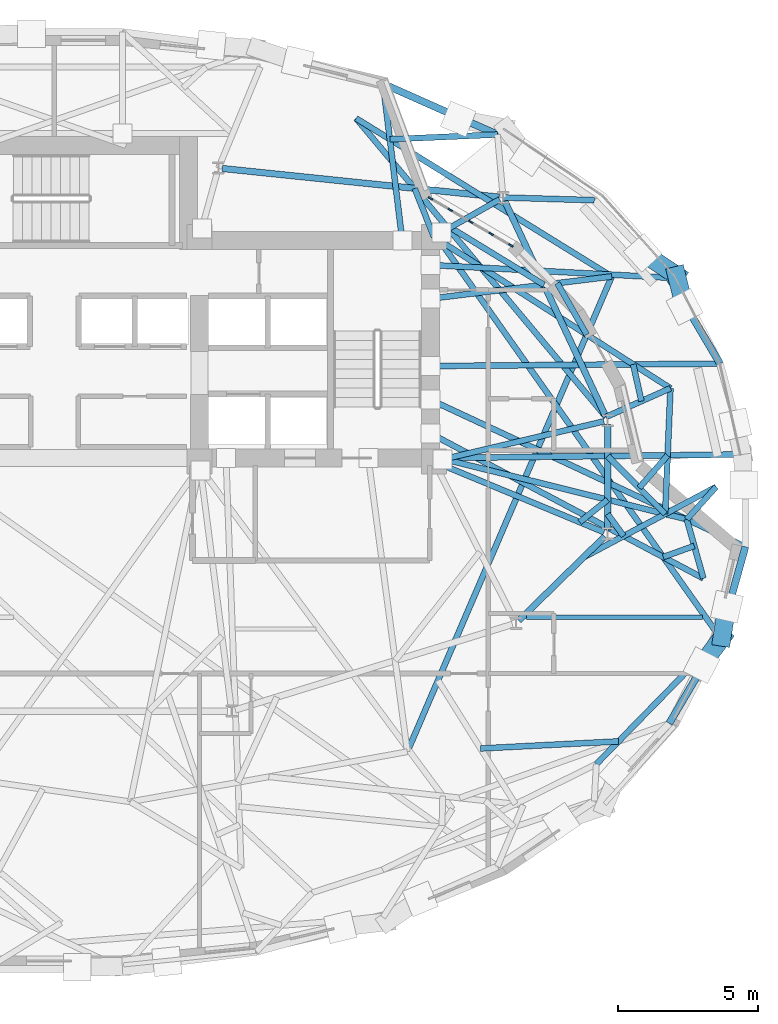
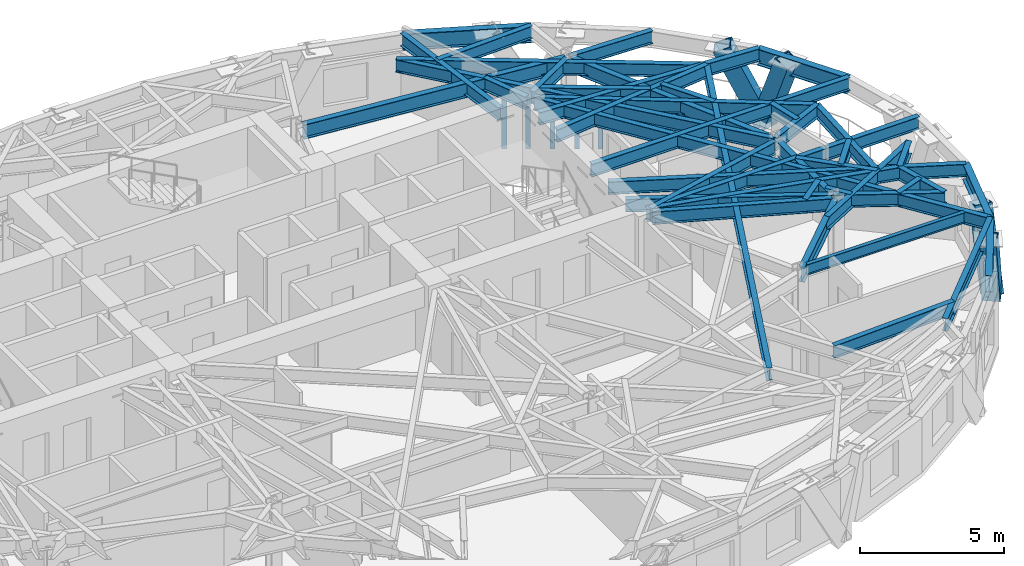
# One storey, part 4 of 15: 43 beams, 9 members, 1 element without a shape of its own.
"""IFC4 building model written with IfcOpenShell, lengths in metres."""

from ifc_helpers import new_model, si_unit, direction, frame, origin, origin_2d, place, context, subcontext, project, spatial, rectangle, hollow_rectangle, i_section, extrude, material, layer, layer_set, material_profile, profile_set, type_object, element, aggregate, save


model = new_model("IFC4")

# Units and contexts
model_context = context("Model", 3, precision=1e-05, world=origin(), true_north=direction((0.0, 1.0)))
body_context = subcontext(model_context, "Body", "Model", "MODEL_VIEW")
ifc_project = project(units=[si_unit("LENGTHUNIT", "METRE"), si_unit("AREAUNIT", "SQUARE_METRE"), si_unit("VOLUMEUNIT", "CUBIC_METRE"), si_unit("PLANEANGLEUNIT", "RADIAN"), si_unit("MASSUNIT", "GRAM", prefix="KILO")], contexts=[model_context])

# Site, building, storey
site_placement = place(None, origin())
site = spatial("IfcSite", under=ifc_project, at=site_placement, CompositionType="ELEMENT")
building_placement = place(site_placement, origin())
building = spatial("IfcBuilding", under=site, at=building_placement, Name="Keldmark Tower", CompositionType="ELEMENT")
storey_placement = place(building_placement, frame((0.0, 0.0, 156.60009765625)))
storey = spatial("IfcBuildingStorey", under=building, at=storey_placement, Name="L42", CompositionType="ELEMENT", Elevation=156.60009765625)

# Beam
ifc_material_1 = material(Name="Steel ASTM A992 Grade 50", Category="steel")
ifc_material_profile_1 = material_profile(ifc_material_1, i_section(OverallWidth=0.153076171875, OverallDepth=0.455078125, WebThickness=0.008056640625, FlangeThickness=0.01318359375, at=origin_2d()), Name="W18X40")
ifc_profile_set_1 = profile_set([ifc_material_profile_1], Name="Steel ASTM A992 Grade 50")
beam_type_1 = type_object("IfcBeamType", Name="Composite Floor Joist W18X40", PredefinedType="JOIST", material=ifc_profile_set_1)
beam_1_placement = place(storey_placement, frame((16.923095703125, -4.179931640625, 2.79248046875), z_axis=(1.0, 0.0, 0.0), x_axis=(0.0, 1.0, 0.0)))
element("IfcBeam", 1, at=beam_1_placement, inside=storey, type_object=beam_type_1, Name="L42 Composite Floor Joist J05", PredefinedType="JOIST", context=body_context, shape_type="SweptSolid", body=[
    extrude(i_section(OverallWidth=0.153076171875, OverallDepth=0.455078125, WebThickness=0.008056640625, FlangeThickness=0.01318359375, at=origin_2d()), origin(), (0.0, 0.0, 1.0), 6.30224609375),
])

# Curtain wall, members
ifc_material_2 = material(Name="Unitized Thermally Broken Aluminum and Triple Low-E Glazing", Category="aluminium")
ifc_layer = layer(ifc_material_2, 0.219970703125)
ifc_layer_set = layer_set([ifc_layer], Name="Unitized Thermally Broken Aluminum and Triple Low-E Glazing")
curtain_wall_type = type_object("IfcCurtainWallType", Name="Spiralling Sky-Garden Feature Curtain Wall System", PredefinedType="NOTDEFINED", material=ifc_layer_set)
curtain_wall_placement = place(storey_placement, origin())
curtain_wall = element("IfcCurtainWall", 2, at=curtain_wall_placement, inside=storey, type_object=curtain_wall_type, Name="L42 Spiralling Sky-Garden Feature Curtain Wall System CW-L42-04", PredefinedType="NOTDEFINED")
ifc_material_3 = material(Name="Extruded Aluminum Alloy 6063-T6", Category="aluminium")
ifc_material_profile_2 = material_profile(ifc_material_3, rectangle(XDim=0.06005859375, YDim=0.179931640625, at=origin_2d()), Name="CWM60X180")
ifc_profile_set_2 = profile_set([ifc_material_profile_2], Name="Extruded Aluminum Alloy 6063-T6")
member_type_1 = type_object("IfcMemberType", Name="Curtain Wall Structural Mullion 60x180", PredefinedType="MULLION", material=ifc_profile_set_2)
member_1_placement = place(storey_placement, frame((13.48193359375, 10.83056640625, 0.0), z_axis=(0.0, 0.0, 1.0), x_axis=(0.505607752505, 0.862763467357, 0.0)))
member_1 = element("IfcMember", 3, at=member_1_placement, type_object=member_type_1, Name="CW mullion 1", PredefinedType="MULLION", context=body_context, shape_type="SweptSolid", body=[
    extrude(rectangle(XDim=0.06005859375, YDim=0.179931640625, at=origin_2d()), origin(), (0.0, 0.0, 1.0), 2.31494140625),
])
member_2_placement = place(storey_placement, frame((14.189208984375, 10.416015625, 0.0), z_axis=(0.0, 0.0, 1.0), x_axis=(0.505607752505, 0.862763467357, 0.0)))
member_2 = element("IfcMember", 4, at=member_2_placement, type_object=member_type_1, Name="CW mullion 2", PredefinedType="MULLION", context=body_context, shape_type="SweptSolid", body=[
    extrude(rectangle(XDim=0.06005859375, YDim=0.179931640625, at=origin_2d()), origin(), (0.0, 0.0, 1.0), 2.31494140625),
])
member_3_placement = place(storey_placement, frame((14.92236328125, 9.986328125, 0.0), z_axis=(0.0, 0.0, 1.0), x_axis=(0.505607752505, 0.862763467357, 0.0)))
member_3 = element("IfcMember", 5, at=member_3_placement, type_object=member_type_1, Name="CW mullion 3", PredefinedType="MULLION", context=body_context, shape_type="SweptSolid", body=[
    extrude(rectangle(XDim=0.06005859375, YDim=0.179931640625, at=origin_2d()), origin(), (0.0, 0.0, 1.0), 2.31494140625),
])
member_4_placement = place(storey_placement, frame((15.655517578125, 9.556640625, 0.0), z_axis=(0.0, 0.0, 1.0), x_axis=(0.505607752505, 0.862763467357, 0.0)))
member_4 = element("IfcMember", 6, at=member_4_placement, type_object=member_type_1, Name="CW mullion 4", PredefinedType="MULLION", context=body_context, shape_type="SweptSolid", body=[
    extrude(rectangle(XDim=0.06005859375, YDim=0.179931640625, at=origin_2d()), origin(), (0.0, 0.0, 1.0), 2.31494140625),
])
member_5_placement = place(storey_placement, frame((16.36279296875, 9.142333984375, 0.0), z_axis=(0.0, 0.0, 1.0), x_axis=(0.505607752505, 0.862763467357, 0.0)))
member_5 = element("IfcMember", 7, at=member_5_placement, type_object=member_type_1, Name="CW mullion 5", PredefinedType="MULLION", context=body_context, shape_type="SweptSolid", body=[
    extrude(rectangle(XDim=0.06005859375, YDim=0.179931640625, at=origin_2d()), origin(), (0.0, 0.0, 1.0), 2.31494140625),
])
aggregate(curtain_wall, [member_1, member_2, member_3, member_4, member_5])

# Members
ifc_material_4 = material(Name="Steel ASTM A572 Grade 50", Category="steel")
ifc_material_profile_3 = material_profile(ifc_material_4, hollow_rectangle(XDim=0.64990234375, YDim=0.64990234375, WallThickness=0.0400390625, at=origin_2d()), Name="BOX650X650X40")
ifc_profile_set_3 = profile_set([ifc_material_profile_3], Name="Steel ASTM A572 Grade 50")
member_type_2 = type_object("IfcMemberType", Name="Diagrid Zone 3 Brace BOX650X650X40", PredefinedType="BRACE", material=ifc_profile_set_3)
member_6_placement = place(storey_placement, frame((22.297607421875, 8.082275390625, -0.260009765625), z_axis=(0.085577163201, -0.338471436517, 0.937077177078), x_axis=(0.969492521537, 0.245120889937, 0.0)))
element("IfcMember", 8, at=member_6_placement, inside=storey, type_object=member_type_2, Name="L42 Perimeter Diagrid Brace 01B", PredefinedType="BRACE", context=body_context, shape_type="SweptSolid", body=[
    extrude(hollow_rectangle(XDim=0.64990234375, YDim=0.64990234375, WallThickness=0.0400390625, at=origin_2d()), origin(), (0.0, 0.0, 1.0), 3.3720703125),
])
member_7_placement = place(storey_placement, frame((22.30224609375, 8.0712890625, -0.260009765625), z_axis=(-0.348710425807, 0.233198343887, 0.907755237573), x_axis=(-0.555895650808, -0.831252082952, 0.0)))
element("IfcMember", 9, at=member_7_placement, inside=storey, type_object=member_type_2, Name="L42 Perimeter Diagrid Brace 02A", PredefinedType="BRACE", context=body_context, shape_type="SweptSolid", body=[
    extrude(hollow_rectangle(XDim=0.64990234375, YDim=0.64990234375, WallThickness=0.0400390625, at=origin_2d()), origin(), (0.0, 0.0, 1.0), 3.48095703125),
])
member_8_placement = place(storey_placement, frame((23.931396484375, -4.903564453125, -0.260009765625), z_axis=(-0.216253324186, -0.294642457329, 0.930817018601), x_axis=(0.80616721419, -0.59168777473, 0.0)))
element("IfcMember", 10, at=member_8_placement, inside=storey, type_object=member_type_2, Name="L42 Perimeter Diagrid Brace 15B", PredefinedType="BRACE", context=body_context, shape_type="SweptSolid", body=[
    extrude(hollow_rectangle(XDim=0.64990234375, YDim=0.64990234375, WallThickness=0.0400390625, at=origin_2d()), origin(), (0.0, 0.0, 1.0), 3.394775390625),
])
member_9_placement = place(storey_placement, frame((23.927001953125, -4.914306640625, -0.260009765625), z_axis=(0.052339250458, 0.330996622853, 0.942179302745), x_axis=(-0.987727714258, 0.156185666715, 0.0)))
element("IfcMember", 11, at=member_9_placement, inside=storey, type_object=member_type_2, Name="L42 Perimeter Diagrid Brace 16A", PredefinedType="BRACE", context=body_context, shape_type="SweptSolid", body=[
    extrude(hollow_rectangle(XDim=0.64990234375, YDim=0.64990234375, WallThickness=0.0400390625, at=origin_2d()), origin(), (0.0, 0.0, 1.0), 3.353759765625),
])

# Beams
ifc_material_5 = material(Name="Steel ASTM A992 Grade 50", Category="steel")
ifc_material_profile_4 = material_profile(ifc_material_5, i_section(OverallWidth=0.22900390625, OverallDepth=0.612060546875, WebThickness=0.011962890625, FlangeThickness=0.01953125, at=origin_2d()), Name="W24X84")
ifc_profile_set_4 = profile_set([ifc_material_profile_4], Name="Steel ASTM A992 Grade 50")
beam_type_2 = type_object("IfcBeamType", Name="Primary Floor Girder W24X84", PredefinedType="BEAM", material=ifc_profile_set_4)
beam_2_placement = place(storey_placement, frame((19.76904296875, 2.99609375, 2.7138671875), z_axis=(-0.424526823774, 0.905415360979, 0.0), x_axis=(-0.905415360979, -0.424526823774, 0.0)))
element("IfcBeam", 12, at=beam_2_placement, inside=storey, type_object=beam_type_2, Name="L42 Floor Ring Girder FG-R01", PredefinedType="BEAM", context=body_context, shape_type="SweptSolid", body=[
    extrude(i_section(OverallWidth=0.22900390625, OverallDepth=0.612060546875, WebThickness=0.011962890625, FlangeThickness=0.01953125, at=origin_2d()), origin(), (0.0, 0.0, 1.0), 8.54638671875),
])
beam_3_placement = place(storey_placement, frame((15.942138671875, 10.87548828125, 2.7138671875), z_axis=(-0.994702930931, 0.102791435423, 0.0), x_axis=(-0.102791435423, -0.994702930931, 0.0)))
element("IfcBeam", 13, at=beam_3_placement, inside=storey, type_object=beam_type_2, Name="L42 Floor Ring Girder FG-R02", PredefinedType="BEAM", context=body_context, shape_type="SweptSolid", body=[
    extrude(i_section(OverallWidth=0.22900390625, OverallDepth=0.612060546875, WebThickness=0.011962890625, FlangeThickness=0.01953125, at=origin_2d()), origin(), (0.0, 0.0, 1.0), 9.975341796875),
])
beam_4_placement = place(storey_placement, frame((16.646728515625, -4.300537109375, 2.7138671875), z_axis=(0.714964509815, 0.699160746684, 0.0), x_axis=(-0.699160746684, 0.714964509815, 0.0)))
element("IfcBeam", 14, at=beam_4_placement, inside=storey, type_object=beam_type_2, Name="L42 Floor Ring Girder FG-R11", PredefinedType="BEAM", context=body_context, shape_type="SweptSolid", body=[
    extrude(i_section(OverallWidth=0.22900390625, OverallDepth=0.612060546875, WebThickness=0.011962890625, FlangeThickness=0.01953125, at=origin_2d()), origin(), (0.0, 0.0, 1.0), 4.31005859375),
])
beam_5_placement = place(storey_placement, frame((19.828369140625, -1.04931640625, 2.7138671875), z_axis=(0.0, 1.0, 0.0), x_axis=(-1.0, 0.0, 0.0)))
element("IfcBeam", 15, at=beam_5_placement, inside=storey, type_object=beam_type_2, Name="L42 Floor Ring Girder FG-R12", PredefinedType="BEAM", context=body_context, shape_type="SweptSolid", body=[
    extrude(i_section(OverallWidth=0.22900390625, OverallDepth=0.612060546875, WebThickness=0.011962890625, FlangeThickness=0.01953125, at=origin_2d()), origin(), (0.0, 0.0, 1.0), 3.778564453125),
])
ifc_material_6 = material(Name="Steel ASTM A992 Grade 50", Category="steel")
ifc_material_profile_5 = material_profile(ifc_material_6, i_section(OverallWidth=0.2099609375, OverallDepth=0.537109375, WebThickness=0.010986328125, FlangeThickness=0.017333984375, at=origin_2d()), Name="W21X68")
ifc_profile_set_5 = profile_set([ifc_material_profile_5], Name="Steel ASTM A992 Grade 50")
beam_type_3 = type_object("IfcBeamType", Name="Radial Tie Girder W21X68", PredefinedType="BEAM", material=ifc_profile_set_5)
beam_6_placement = place(storey_placement, frame((19.692138671875, 2.837158203125, 2.75146484375), z_axis=(-0.973280062348, -0.229621253887, 0.0), x_axis=(0.229621253887, -0.973280062348, 0.0)))
element("IfcBeam", 16, at=beam_6_placement, inside=storey, type_object=beam_type_3, Name="L42 Floor Radial Girder FG-C01", PredefinedType="BEAM", context=body_context, shape_type="SweptSolid", body=[
    extrude(i_section(OverallWidth=0.2099609375, OverallDepth=0.537109375, WebThickness=0.010986328125, FlangeThickness=0.017333984375, at=origin_2d()), origin(), (0.0, 0.0, 1.0), 5.939208984375),
])
beam_7_placement = place(storey_placement, frame((15.959716796875, 10.791748046875, 2.75146484375), z_axis=(-0.86929527307, -0.494293160197, 0.0), x_axis=(0.494293160197, -0.86929527307, 0.0)))
element("IfcBeam", 17, at=beam_7_placement, inside=storey, type_object=beam_type_3, Name="L42 Floor Radial Girder FG-C02", PredefinedType="BEAM", context=body_context, shape_type="SweptSolid", body=[
    extrude(i_section(OverallWidth=0.2099609375, OverallDepth=0.537109375, WebThickness=0.010986328125, FlangeThickness=0.017333984375, at=origin_2d()), origin(), (0.0, 0.0, 1.0), 2.39453125),
])
beam_8_placement = place(storey_placement, frame((19.69921875, -1.135498046875, 2.75146484375), z_axis=(-0.923393794893, 0.383854008124, 0.0), x_axis=(-0.383854008124, -0.923393794893, 0.0)))
element("IfcBeam", 18, at=beam_8_placement, inside=storey, type_object=beam_type_3, Name="L42 Floor Radial Girder FG-C12", PredefinedType="BEAM", context=body_context, shape_type="SweptSolid", body=[
    extrude(i_section(OverallWidth=0.2099609375, OverallDepth=0.537109375, WebThickness=0.010986328125, FlangeThickness=0.017333984375, at=origin_2d()), origin(), (0.0, 0.0, 1.0), 6.28515625),
])
beam_9_placement = place(storey_placement, frame((18.82861328125, -0.773681640625, 2.75146484375), z_axis=(0.779288200564, 0.626665700722, 0.0), x_axis=(-0.626665700722, 0.779288200564, 0.0)))
element("IfcBeam", 19, at=beam_9_placement, inside=storey, type_object=beam_type_3, Name="L42 Framing Pin Header PH-002", PredefinedType="BEAM", context=body_context, shape_type="SweptSolid", body=[
    extrude(i_section(OverallWidth=0.2099609375, OverallDepth=0.537109375, WebThickness=0.010986328125, FlangeThickness=0.017333984375, at=origin_2d()), origin(), (0.0, 0.0, 1.0), 1.282958984375),
])
beam_10_placement = place(storey_placement, frame((13.800048828125, 1.52490234375, 2.75146484375), z_axis=(0.970610768192, -0.240654808118, 0.0), x_axis=(0.240654808118, 0.970610768192, 0.0)))
element("IfcBeam", 20, at=beam_10_placement, inside=storey, type_object=beam_type_3, Name="L42 Sub-Ring Step Girder STP1-M12", PredefinedType="BEAM", context=body_context, shape_type="SweptSolid", body=[
    extrude(i_section(OverallWidth=0.2099609375, OverallDepth=0.537109375, WebThickness=0.010986328125, FlangeThickness=0.017333984375, at=origin_2d()), origin(), (0.0, 0.0, 1.0), 9.134521484375),
])
beam_11_placement = place(storey_placement, frame((14.1904296875, 9.78564453125, 2.75146484375), z_axis=(0.853199007527, -0.521585518927, 0.0), x_axis=(0.521585518927, 0.853199007527, 0.0)))
element("IfcBeam", 21, at=beam_11_placement, inside=storey, type_object=beam_type_3, Name="L42 Framing Pin Header PH-003", PredefinedType="BEAM", context=body_context, shape_type="SweptSolid", body=[
    extrude(i_section(OverallWidth=0.2099609375, OverallDepth=0.537109375, WebThickness=0.010986328125, FlangeThickness=0.017333984375, at=origin_2d()), origin(), (0.0, 0.0, 1.0), 3.93505859375),
])
beam_12_placement = place(storey_placement, frame((13.47509765625, 7.235595703125, 2.75146484375), z_axis=(0.992620947645, 0.12125862566, 0.0), x_axis=(-0.12125862566, 0.992620947645, 0.0)))
element("IfcBeam", 22, at=beam_12_placement, inside=storey, type_object=beam_type_3, Name="L42 Sub-Ring Step Girder STP2-M01", PredefinedType="BEAM", context=body_context, shape_type="SweptSolid", body=[
    extrude(i_section(OverallWidth=0.2099609375, OverallDepth=0.537109375, WebThickness=0.010986328125, FlangeThickness=0.017333984375, at=origin_2d()), origin(), (0.0, 0.0, 1.0), 6.549560546875),
])
beam_13_placement = place(storey_placement, frame((13.60009765625, 9.449951171875, 2.75146484375), z_axis=(-0.367288459478, 0.930107083907, 0.0), x_axis=(-0.930107083907, -0.367288459478, 0.0)))
element("IfcBeam", 23, at=beam_13_placement, inside=storey, type_object=beam_type_3, Name="L42 Framing Pin Header PH-004", PredefinedType="BEAM", context=body_context, shape_type="SweptSolid", body=[
    extrude(i_section(OverallWidth=0.2099609375, OverallDepth=0.537109375, WebThickness=0.010986328125, FlangeThickness=0.017333984375, at=origin_2d()), origin(), (0.0, 0.0, 1.0), 1.869140625),
])
beam_14_placement = place(storey_placement, frame((19.76904296875, 2.99609375, 2.75146484375), z_axis=(-0.641759384886, 0.766906051555, 0.0), x_axis=(-0.766906051555, -0.641759384886, 0.0)))
element("IfcBeam", 24, at=beam_14_placement, inside=storey, type_object=beam_type_3, Name="L42 Sub-Ring Step Girder STP2-M02", PredefinedType="BEAM", context=body_context, shape_type="SweptSolid", body=[
    extrude(i_section(OverallWidth=0.2099609375, OverallDepth=0.537109375, WebThickness=0.010986328125, FlangeThickness=0.017333984375, at=origin_2d()), origin(), (0.0, 0.0, 1.0), 13.954345703125),
])
beam_15_placement = place(storey_placement, frame((19.976318359375, 8.02978515625, 2.75146484375), z_axis=(-0.850436056083, 0.526078430003, 0.0), x_axis=(-0.526078430003, -0.850436056083, 0.0)))
element("IfcBeam", 25, at=beam_15_placement, inside=storey, type_object=beam_type_3, Name="L42 Perimeter Collector Ring Beam CRG2-M01", PredefinedType="BEAM", context=body_context, shape_type="SweptSolid", body=[
    extrude(i_section(OverallWidth=0.2099609375, OverallDepth=0.537109375, WebThickness=0.010986328125, FlangeThickness=0.017333984375, at=origin_2d()), origin(), (0.0, 0.0, 1.0), 10.77392578125),
])
beam_16_placement = place(storey_placement, frame((12.649658203125, -9.0029296875, 2.75146484375), z_axis=(0.395145761568, 0.918618433908, 0.0), x_axis=(-0.918618433908, 0.395145761568, 0.0)))
element("IfcBeam", 26, at=beam_16_placement, inside=storey, type_object=beam_type_3, Name="L42 Perimeter Collector Ring Beam CRG2-M11", PredefinedType="BEAM", context=body_context, shape_type="SweptSolid", body=[
    extrude(i_section(OverallWidth=0.2099609375, OverallDepth=0.537109375, WebThickness=0.010986328125, FlangeThickness=0.017333984375, at=origin_2d()), origin(), (0.0, 0.0, 1.0), 18.541748046875),
])
beam_17_placement = place(storey_placement, frame((19.828369140625, 1.595703125, 2.75146484375), z_axis=(0.704557619254, -0.70964678619, 0.0), x_axis=(0.70964678619, 0.704557619254, 0.0)))
element("IfcBeam", 27, at=beam_17_placement, inside=storey, type_object=beam_type_3, Name="L42 Framing Pin Header PH-009", PredefinedType="BEAM", context=body_context, shape_type="SweptSolid", body=[
    extrude(i_section(OverallWidth=0.2099609375, OverallDepth=0.537109375, WebThickness=0.010986328125, FlangeThickness=0.017333984375, at=origin_2d()), origin(), (0.0, 0.0, 1.0), 2.92626953125),
])
beam_18_placement = place(storey_placement, frame((18.9580078125, -2.04052734375, 2.75146484375), z_axis=(0.882900362005, 0.469560380326, 0.0), x_axis=(-0.469560380326, 0.882900362005, 0.0)))
element("IfcBeam", 28, at=beam_18_placement, inside=storey, type_object=beam_type_3, Name="L42 Intermediate Radial Step Girder RT-01M", PredefinedType="BEAM", context=body_context, shape_type="SweptSolid", body=[
    extrude(i_section(OverallWidth=0.2099609375, OverallDepth=0.537109375, WebThickness=0.010986328125, FlangeThickness=0.017333984375, at=origin_2d()), origin(), (0.0, 0.0, 1.0), 5.38916015625),
])
beam_19_placement = place(storey_placement, frame((22.666015625, -0.67333984375, 2.75146484375), z_axis=(0.670039907955, 0.742325078216, 0.0), x_axis=(-0.742325078216, 0.670039907955, 0.0)))
element("IfcBeam", 29, at=beam_19_placement, inside=storey, type_object=beam_type_3, Name="L42 Local Collector Chord RT-01C", PredefinedType="BEAM", context=body_context, shape_type="SweptSolid", body=[
    extrude(i_section(OverallWidth=0.2099609375, OverallDepth=0.537109375, WebThickness=0.010986328125, FlangeThickness=0.017333984375, at=origin_2d()), origin(), (0.0, 0.0, 1.0), 1.567138671875),
])
beam_20_placement = place(storey_placement, frame((18.02587890625, 7.79150390625, 2.75146484375), z_axis=(0.495879140901, -0.868391546262, 0.0), x_axis=(0.868391546262, 0.495879140901, 0.0)))
element("IfcBeam", 30, at=beam_20_placement, inside=storey, type_object=beam_type_3, Name="L42 Framing Pin Header PH-010", PredefinedType="BEAM", context=body_context, shape_type="SweptSolid", body=[
    extrude(i_section(OverallWidth=0.2099609375, OverallDepth=0.537109375, WebThickness=0.010986328125, FlangeThickness=0.017333984375, at=origin_2d()), origin(), (0.0, 0.0, 1.0), 2.12548828125),
])
beam_21_placement = place(storey_placement, frame((13.800048828125, 9.324951171875, 2.75146484375), z_axis=(0.842254713998, -0.539079768447, 0.0), x_axis=(0.539079768447, 0.842254713998, 0.0)))
element("IfcBeam", 31, at=beam_21_placement, inside=storey, type_object=beam_type_3, Name="L42 Intermediate Radial Step Girder RT-02M", PredefinedType="BEAM", context=body_context, shape_type="SweptSolid", body=[
    extrude(i_section(OverallWidth=0.2099609375, OverallDepth=0.537109375, WebThickness=0.010986328125, FlangeThickness=0.017333984375, at=origin_2d()), origin(), (0.0, 0.0, 1.0), 9.83154296875),
])
beam_22_placement = place(storey_placement, frame((19.76904296875, 2.99609375, 2.75146484375), z_axis=(0.913612501714, 0.406586026214, 0.0), x_axis=(-0.406586026214, 0.913612501714, 0.0)))
element("IfcBeam", 32, at=beam_22_placement, inside=storey, type_object=beam_type_3, Name="L42 Local Collector Chord RT-02C", PredefinedType="BEAM", context=body_context, shape_type="SweptSolid", body=[
    extrude(i_section(OverallWidth=0.2099609375, OverallDepth=0.537109375, WebThickness=0.010986328125, FlangeThickness=0.017333984375, at=origin_2d()), origin(), (0.0, 0.0, 1.0), 2.5302734375),
])
beam_23_placement = place(storey_placement, frame((21.04052734375, 3.56201171875, 2.75146484375), z_axis=(-0.219168228512, 0.975687084885, 0.0), x_axis=(-0.975687084885, -0.219168228512, 0.0)))
element("IfcBeam", 33, at=beam_23_placement, inside=storey, type_object=beam_type_3, Name="L42 Framing Pin Header PH-011", PredefinedType="BEAM", context=body_context, shape_type="SweptSolid", body=[
    extrude(i_section(OverallWidth=0.2099609375, OverallDepth=0.537109375, WebThickness=0.010986328125, FlangeThickness=0.017333984375, at=origin_2d()), origin(), (0.0, 0.0, 1.0), 1.351318359375),
])
beam_24_placement = place(storey_placement, frame((13.47509765625, 4.8212890625, 2.75146484375), z_axis=(0.999966899663, 0.008136312371, 0.0), x_axis=(-0.008136312371, 0.999966899663, 0.0)))
element("IfcBeam", 34, at=beam_24_placement, inside=storey, type_object=beam_type_3, Name="L42 Perimeter Radial Tie Girder RT-02", PredefinedType="BEAM", context=body_context, shape_type="SweptSolid", body=[
    extrude(i_section(OverallWidth=0.2099609375, OverallDepth=0.537109375, WebThickness=0.010986328125, FlangeThickness=0.017333984375, at=origin_2d()), origin(), (0.0, 0.0, 1.0), 10.382080078125),
])
beam_25_placement = place(storey_placement, frame((13.47509765625, 8.44287109375, 2.75146484375), z_axis=(0.998570711465, -0.053446554661, 0.0), x_axis=(0.053446554661, 0.998570711465, 0.0)))
element("IfcBeam", 35, at=beam_25_placement, inside=storey, type_object=beam_type_3, Name="L42 Perimeter Radial Tie Girder RT-03", PredefinedType="BEAM", context=body_context, shape_type="SweptSolid", body=[
    extrude(i_section(OverallWidth=0.2099609375, OverallDepth=0.537109375, WebThickness=0.010986328125, FlangeThickness=0.017333984375, at=origin_2d()), origin(), (0.0, 0.0, 1.0), 8.573974609375),
])
beam_26_placement = place(storey_placement, frame((16.08154296875, 10.861083984375, 2.75146484375), z_axis=(0.999564975012, -0.029493401444, 0.0), x_axis=(0.029493401444, 0.999564975012, 0.0)))
element("IfcBeam", 36, at=beam_26_placement, inside=storey, type_object=beam_type_3, Name="L42 Perimeter Column Bracket RT-04", PredefinedType="BEAM", context=body_context, shape_type="SweptSolid", body=[
    extrude(i_section(OverallWidth=0.2099609375, OverallDepth=0.537109375, WebThickness=0.010986328125, FlangeThickness=0.017333984375, at=origin_2d()), origin(), (0.0, 0.0, 1.0), 3.269775390625),
])
beam_27_placement = place(storey_placement, frame((15.8798828125, 13.11669921875, 2.75146484375), z_axis=(-0.999064017094, -0.043256094929, 0.0), x_axis=(0.043256094929, -0.999064017094, 0.0)))
element("IfcBeam", 37, at=beam_27_placement, inside=storey, type_object=beam_type_3, Name="L42 Framing Pin Header PH-012", PredefinedType="BEAM", context=body_context, shape_type="SweptSolid", body=[
    extrude(i_section(OverallWidth=0.2099609375, OverallDepth=0.537109375, WebThickness=0.010986328125, FlangeThickness=0.017333984375, at=origin_2d()), origin(), (0.0, 0.0, 1.0), 3.860595703125),
])
beam_28_placement = place(storey_placement, frame((12.468017578125, 9.324951171875, 2.75146484375), z_axis=(-0.121871902014, 0.99254583748, 0.0), x_axis=(-0.99254583748, -0.121871902014, 0.0)))
element("IfcBeam", 38, at=beam_28_placement, inside=storey, type_object=beam_type_3, Name="L42 Perimeter Radial Tie Girder RT-06", PredefinedType="BEAM", context=body_context, shape_type="SweptSolid", body=[
    extrude(i_section(OverallWidth=0.2099609375, OverallDepth=0.537109375, WebThickness=0.010986328125, FlangeThickness=0.017333984375, at=origin_2d()), origin(), (0.0, 0.0, 1.0), 5.6552734375),
])
beam_29_placement = place(storey_placement, frame((19.828369140625, -0.482421875, 2.75146484375), z_axis=(0.588781022217, -0.808292588038, 0.0), x_axis=(0.808292588038, 0.588781022217, 0.0)))
element("IfcBeam", 39, at=beam_29_placement, inside=storey, type_object=beam_type_3, Name="L42 Framing Pin Header PH-034", PredefinedType="BEAM", context=body_context, shape_type="SweptSolid", body=[
    extrude(i_section(OverallWidth=0.2099609375, OverallDepth=0.537109375, WebThickness=0.010986328125, FlangeThickness=0.017333984375, at=origin_2d()), origin(), (0.0, 0.0, 1.0), 0.9765625),
])
beam_30_placement = place(storey_placement, frame((13.47509765625, 2.406982421875, 2.75146484375), z_axis=(0.883208416971, -0.468980694904, 0.0), x_axis=(0.468980694904, 0.883208416971, 0.0)))
element("IfcBeam", 40, at=beam_30_placement, inside=storey, type_object=beam_type_3, Name="L42 Intermediate Radial Step Girder RT-31M", PredefinedType="BEAM", context=body_context, shape_type="SweptSolid", body=[
    extrude(i_section(OverallWidth=0.2099609375, OverallDepth=0.537109375, WebThickness=0.010986328125, FlangeThickness=0.017333984375, at=origin_2d()), origin(), (0.0, 0.0, 1.0), 11.08056640625),
])
beam_31_placement = place(storey_placement, frame((22.666015625, -0.67333984375, 2.75146484375), z_axis=(0.2708613528, -0.962618370674, 0.0), x_axis=(0.962618370674, 0.2708613528, 0.0)))
element("IfcBeam", 41, at=beam_31_placement, inside=storey, type_object=beam_type_3, Name="L42 Local Collector Chord RT-31C", PredefinedType="BEAM", context=body_context, shape_type="SweptSolid", body=[
    extrude(i_section(OverallWidth=0.2099609375, OverallDepth=0.537109375, WebThickness=0.010986328125, FlangeThickness=0.017333984375, at=origin_2d()), origin(), (0.0, 0.0, 1.0), 2.198486328125),
])
beam_32_placement = place(storey_placement, frame((22.933837890625, -1.62548828125, 2.75146484375), z_axis=(-0.941362916354, -0.337395701979, 0.0), x_axis=(0.337395701979, -0.941362916354, 0.0)))
element("IfcBeam", 42, at=beam_32_placement, inside=storey, type_object=beam_type_3, Name="L42 Framing Pin Header PH-035", PredefinedType="BEAM", context=body_context, shape_type="SweptSolid", body=[
    extrude(i_section(OverallWidth=0.2099609375, OverallDepth=0.537109375, WebThickness=0.010986328125, FlangeThickness=0.017333984375, at=origin_2d()), origin(), (0.0, 0.0, 1.0), 1.182373046875),
])
beam_33_placement = place(storey_placement, frame((13.800048828125, 9.324951171875, 2.75146484375), z_axis=(0.577130311447, -0.816652070107, 0.0), x_axis=(0.816652070107, 0.577130311447, 0.0)))
element("IfcBeam", 43, at=beam_33_placement, inside=storey, type_object=beam_type_3, Name="L42 Perimeter Radial Tie Girder RT-31", PredefinedType="BEAM", context=body_context, shape_type="SweptSolid", body=[
    extrude(i_section(OverallWidth=0.2099609375, OverallDepth=0.537109375, WebThickness=0.010986328125, FlangeThickness=0.017333984375, at=origin_2d()), origin(), (0.0, 0.0, 1.0), 17.42578125),
])
beam_34_placement = place(storey_placement, frame((13.47509765625, 3.6142578125, 2.75146484375), z_axis=(0.906223684344, -0.422798573713, 0.0), x_axis=(0.422798573713, 0.906223684344, 0.0)))
element("IfcBeam", 44, at=beam_34_placement, inside=storey, type_object=beam_type_3, Name="L42 Perimeter Radial Tie Girder RT-32", PredefinedType="BEAM", context=body_context, shape_type="SweptSolid", body=[
    extrude(i_section(OverallWidth=0.2099609375, OverallDepth=0.537109375, WebThickness=0.010986328125, FlangeThickness=0.017333984375, at=origin_2d()), origin(), (0.0, 0.0, 1.0), 12.45947265625),
])
beam_35_placement = place(storey_placement, frame((21.89013671875, -0.48095703125, 2.75146484375), z_axis=(0.042279023778, 0.999105842315, 0.0), x_axis=(-0.999105842315, 0.042279023778, 0.0)))
element("IfcBeam", 45, at=beam_35_placement, inside=storey, type_object=beam_type_3, Name="L42 Straddling Support Chord RT-01RB", PredefinedType="BEAM", context=body_context, shape_type="SweptSolid", body=[
    extrude(i_section(OverallWidth=0.2099609375, OverallDepth=0.537109375, WebThickness=0.010986328125, FlangeThickness=0.017333984375, at=origin_2d()), origin(), (0.0, 0.0, 1.0), 4.510009765625),
])
beam_36_placement = place(storey_placement, frame((20.96240234375, 0.45361328125, 2.75146484375), z_axis=(0.656772065151, 0.754089155496, 0.0), x_axis=(-0.754089155496, 0.656772065151, 0.0)))
element("IfcBeam", 46, at=beam_36_placement, inside=storey, type_object=beam_type_3, Name="L42 Framing Pin Header PH-036", PredefinedType="BEAM", context=body_context, shape_type="SweptSolid", body=[
    extrude(i_section(OverallWidth=0.2099609375, OverallDepth=0.537109375, WebThickness=0.010986328125, FlangeThickness=0.017333984375, at=origin_2d()), origin(), (0.0, 0.0, 1.0), 1.5478515625),
])
beam_37_placement = place(storey_placement, frame((13.800048828125, 1.52490234375, 2.75146484375), z_axis=(0.999931178376, 0.011731944052, 0.0), x_axis=(-0.011731944052, 0.999931178376, 0.0)))
element("IfcBeam", 47, at=beam_37_placement, inside=storey, type_object=beam_type_3, Name="L42 Perimeter Radial Tie Girder RT-01R", PredefinedType="BEAM", context=body_context, shape_type="SweptSolid", body=[
    extrude(i_section(OverallWidth=0.2099609375, OverallDepth=0.537109375, WebThickness=0.010986328125, FlangeThickness=0.017333984375, at=origin_2d()), origin(), (0.0, 0.0, 1.0), 10.966796875),
])
beam_38_placement = place(storey_placement, frame((19.422119140625, -9.448486328125, 2.75146484375), z_axis=(0.698556884714, 0.715554525399, 0.0), x_axis=(-0.715554525399, 0.698556884714, 0.0)))
element("IfcBeam", 48, at=beam_38_placement, inside=storey, type_object=beam_type_3, Name="L42 Straddling Support Chord RT-30RB", PredefinedType="BEAM", context=body_context, shape_type="SweptSolid", body=[
    extrude(i_section(OverallWidth=0.2099609375, OverallDepth=0.537109375, WebThickness=0.010986328125, FlangeThickness=0.017333984375, at=origin_2d()), origin(), (0.0, 0.0, 1.0), 6.3486328125),
])
beam_39_placement = place(storey_placement, frame((15.275146484375, -8.885986328125, 2.75146484375), z_axis=(0.998681382448, 0.051337085533, 0.0), x_axis=(-0.051337085533, 0.998681382448, 0.0)))
element("IfcBeam", 49, at=beam_39_placement, inside=storey, type_object=beam_type_3, Name="L42 Framing Pin Header PH-042", PredefinedType="BEAM", context=body_context, shape_type="SweptSolid", body=[
    extrude(i_section(OverallWidth=0.2099609375, OverallDepth=0.537109375, WebThickness=0.010986328125, FlangeThickness=0.017333984375, at=origin_2d()), origin(), (0.0, 0.0, 1.0), 4.95068359375),
])
ifc_material_7 = material(Name="Steel ASTM A992 Grade 50", Category="steel")
ifc_material_profile_6 = material_profile(ifc_material_7, i_section(OverallWidth=0.256103515625, OverallDepth=0.693115234375, WebThickness=0.014404296875, FlangeThickness=0.023681640625, at=origin_2d()), Name="W27X114")
ifc_profile_set_6 = profile_set([ifc_material_profile_6], Name="Steel ASTM A992 Grade 50")
beam_type_4 = type_object("IfcBeamType", Name="Spandrel Ring Beam W27X114", PredefinedType="SPANDREL", material=ifc_profile_set_6)
beam_40_placement = place(storey_placement, frame((23.85693359375, 4.90576171875, 2.67333984375), z_axis=(-0.508883387051, 0.860835465338, 0.0), x_axis=(-0.860835465338, -0.508883387051, 0.0)))
element("IfcBeam", 50, at=beam_40_placement, inside=storey, type_object=beam_type_4, Name="L42 Perimeter Spandrel Ring Beam SRB-02", PredefinedType="SPANDREL", context=body_context, shape_type="SweptSolid", body=[
    extrude(i_section(OverallWidth=0.256103515625, OverallDepth=0.693115234375, WebThickness=0.014404296875, FlangeThickness=0.023681640625, at=origin_2d()), origin(), (0.0, 0.0, 1.0), 3.57666015625),
])
beam_41_placement = place(storey_placement, frame((15.8798828125, 13.11669921875, 2.67333984375), z_axis=(-0.913928177397, 0.405875949719, 0.0), x_axis=(-0.405875949719, -0.913928177397, 0.0)))
element("IfcBeam", 51, at=beam_41_placement, inside=storey, type_object=beam_type_4, Name="L42 Perimeter Spandrel Ring Beam SRB-05", PredefinedType="SPANDREL", context=body_context, shape_type="SweptSolid", body=[
    extrude(i_section(OverallWidth=0.256103515625, OverallDepth=0.693115234375, WebThickness=0.014404296875, FlangeThickness=0.023681640625, at=origin_2d()), origin(), (0.0, 0.0, 1.0), 4.4873046875),
])
beam_42_placement = place(storey_placement, frame((22.036865234375, -7.984619140625, 2.67333984375), z_axis=(0.508883387051, 0.860835465338, 0.0), x_axis=(-0.860835465338, 0.508883387051, 0.0)))
element("IfcBeam", 52, at=beam_42_placement, inside=storey, type_object=beam_type_4, Name="L42 Perimeter Spandrel Ring Beam SRB-30", PredefinedType="SPANDREL", context=body_context, shape_type="SweptSolid", body=[
    extrude(i_section(OverallWidth=0.256103515625, OverallDepth=0.693115234375, WebThickness=0.014404296875, FlangeThickness=0.023681640625, at=origin_2d()), origin(), (0.0, 0.0, 1.0), 3.57666015625),
])
beam_43_placement = place(storey_placement, frame((23.85693359375, -4.90576171875, 2.67333984375), z_axis=(0.269235699479, 0.963074315993, 0.0), x_axis=(-0.963074315993, 0.269235699479, 0.0)))
element("IfcBeam", 53, at=beam_43_placement, inside=storey, type_object=beam_type_4, Name="L42 Perimeter Spandrel Ring Beam SRB-31", PredefinedType="SPANDREL", context=body_context, shape_type="SweptSolid", body=[
    extrude(i_section(OverallWidth=0.256103515625, OverallDepth=0.693115234375, WebThickness=0.014404296875, FlangeThickness=0.023681640625, at=origin_2d()), origin(), (0.0, 0.0, 1.0), 3.376953125),
])

save(model, "model.ifc")
